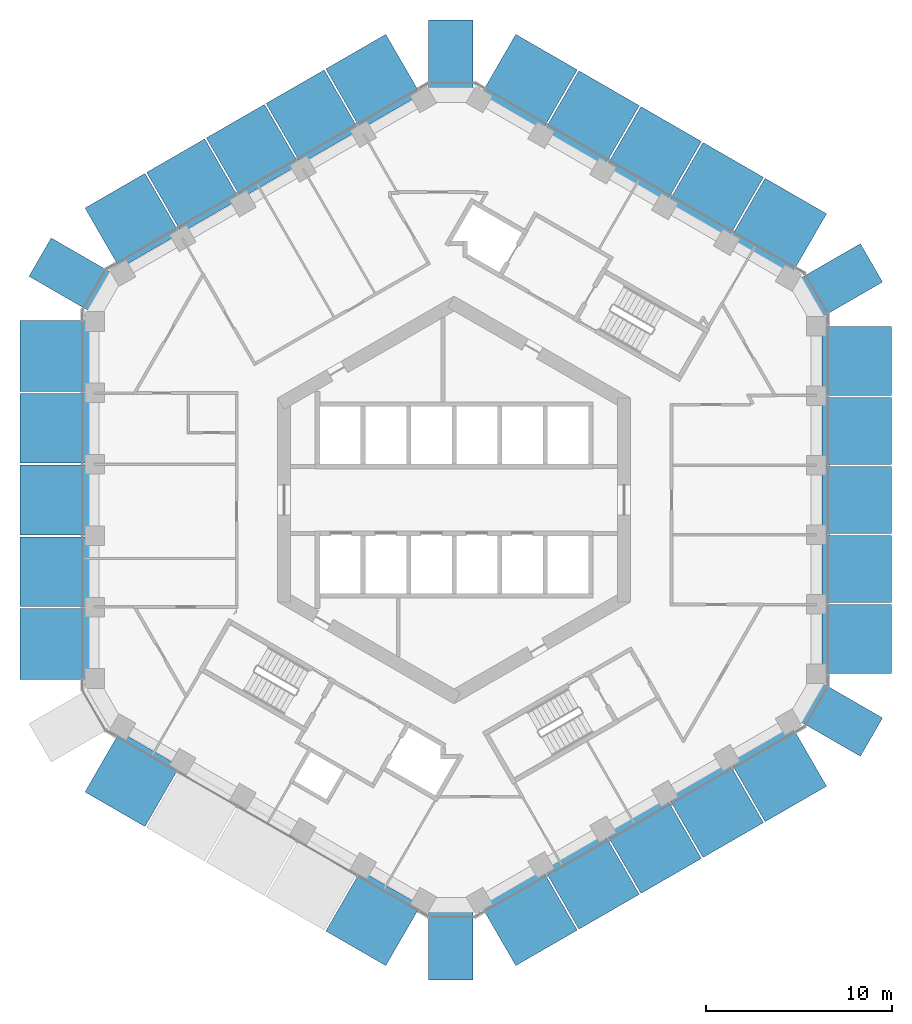
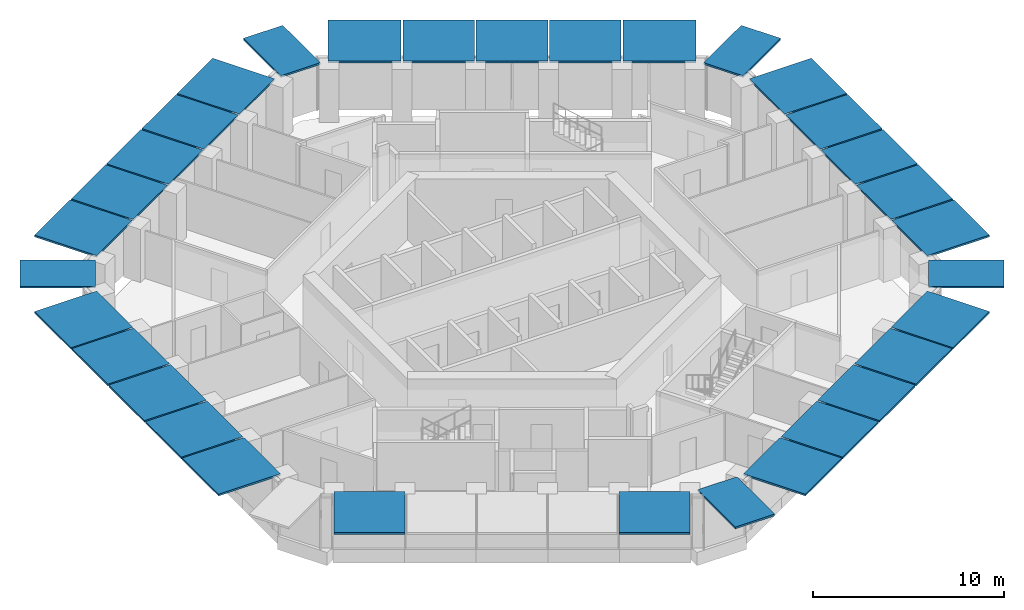
# One storey, part 15 of 18: 32 discrete accessories.
"""IFC4 building model written with IfcOpenShell, lengths in metres."""

from ifc_helpers import new_model, si_unit, direction, frame, origin, origin_2d, place, context, subcontext, project, spatial, rectangle, extrude, material, layer, layer_set, type_object, element, save


model = new_model("IFC4")

# Units and contexts
model_context = context("Model", 3, precision=1e-05, world=origin(), true_north=direction((0.0, 1.0)))
body_context = subcontext(model_context, "Body", "Model", "MODEL_VIEW")
ifc_project = project(units=[si_unit("LENGTHUNIT", "METRE"), si_unit("AREAUNIT", "SQUARE_METRE"), si_unit("VOLUMEUNIT", "CUBIC_METRE"), si_unit("PLANEANGLEUNIT", "RADIAN"), si_unit("MASSUNIT", "GRAM", prefix="KILO")], contexts=[model_context])

# Site, building, storey
site_placement = place(None, origin())
site = spatial("IfcSite", under=ifc_project, at=site_placement, CompositionType="ELEMENT")
building_placement = place(site_placement, origin())
building = spatial("IfcBuilding", under=site, at=building_placement, Name="Ayvan Gate Tower", CompositionType="ELEMENT")
storey_placement = place(building_placement, frame((0.0, 0.0, 89.89990234375)))
storey = spatial("IfcBuildingStorey", under=building, at=storey_placement, Name="L23", CompositionType="ELEMENT", Elevation=89.89990234375)

# Discrete accessories
ifc_material = material(Name="Stainless steel 316", Category="steel")
ifc_layer = layer(ifc_material, 0.1201171875)
ifc_layer_set = layer_set([ifc_layer], Name="Stainless steel 316")
discrete_accessory_type = type_object("IfcDiscreteAccessoryType", Name="Fin carrier bracket", PredefinedType="BRACKET", material=ifc_layer_set)
discrete_accessory_1_placement = place(storey_placement, frame((-21.481689453125, -7.742919921875, 3.280029296875), z_axis=(0.0, 0.0, 1.0), x_axis=(0.0, -1.0, 0.0)))
element("IfcDiscreteAccessory", 1, at=discrete_accessory_1_placement, inside=storey, type_object=discrete_accessory_type, Name="Fin carrier 43", PredefinedType="BRACKET", context=body_context, shape_type="SweptSolid", body=[
    extrude(rectangle(XDim=3.820068359375, YDim=3.74853515625, at=origin_2d()), origin(), (0.0, 0.0, 1.0), 0.1201171875),
])
discrete_accessory_2_placement = place(storey_placement, frame((-21.481689453125, -3.85546875, 3.280029296875), z_axis=(0.0, 0.0, 1.0), x_axis=(0.0, -1.0, 0.0)))
element("IfcDiscreteAccessory", 2, at=discrete_accessory_2_placement, inside=storey, type_object=discrete_accessory_type, Name="Fin carrier 45", PredefinedType="BRACKET", context=body_context, shape_type="SweptSolid", body=[
    extrude(rectangle(XDim=3.7548828125, YDim=3.74853515625, at=origin_2d()), origin(), (0.0, 0.0, 1.0), 0.1201171875),
])
discrete_accessory_3_placement = place(storey_placement, frame((-21.481689453125, 0.0, 3.280029296875), z_axis=(0.0, 0.0, 1.0), x_axis=(0.0, -1.0, 0.0)))
element("IfcDiscreteAccessory", 3, at=discrete_accessory_3_placement, inside=storey, type_object=discrete_accessory_type, Name="Fin carrier 48", PredefinedType="BRACKET", context=body_context, shape_type="SweptSolid", body=[
    extrude(rectangle(XDim=3.756103515625, YDim=3.74853515625, at=origin_2d()), origin(), (0.0, 0.0, 1.0), 0.1201171875),
])
discrete_accessory_4_placement = place(storey_placement, frame((-21.481689453125, 3.85546875, 3.280029296875), z_axis=(0.0, 0.0, 1.0), x_axis=(0.0, -1.0, 0.0)))
element("IfcDiscreteAccessory", 4, at=discrete_accessory_4_placement, inside=storey, type_object=discrete_accessory_type, Name="Fin carrier 51", PredefinedType="BRACKET", context=body_context, shape_type="SweptSolid", body=[
    extrude(rectangle(XDim=3.7548828125, YDim=3.74853515625, at=origin_2d()), origin(), (0.0, 0.0, 1.0), 0.1201171875),
])
discrete_accessory_5_placement = place(storey_placement, frame((-21.481689453125, 7.742919921875, 3.280029296875), z_axis=(0.0, 0.0, 1.0), x_axis=(0.0, -1.0, 0.0)))
element("IfcDiscreteAccessory", 5, at=discrete_accessory_5_placement, inside=storey, type_object=discrete_accessory_type, Name="Fin carrier 54", PredefinedType="BRACKET", context=body_context, shape_type="SweptSolid", body=[
    extrude(rectangle(XDim=3.820068359375, YDim=3.74853515625, at=origin_2d()), origin(), (0.0, 0.0, 1.0), 0.1201171875),
])
discrete_accessory_6_placement = place(storey_placement, frame((-20.564208984375, 12.078369140625, 3.280029296875), z_axis=(0.0, 0.0, 1.0), x_axis=(-0.5, -0.866025403784, 0.0)))
element("IfcDiscreteAccessory", 6, at=discrete_accessory_6_placement, inside=storey, type_object=discrete_accessory_type, Name="Fin carrier 86", PredefinedType="BRACKET", context=body_context, shape_type="SweptSolid", body=[
    extrude(rectangle(XDim=2.386474609375, YDim=3.9521484375, at=origin_2d()), origin(), (0.0, 0.0, 1.0), 0.1201171875),
])
discrete_accessory_7_placement = place(storey_placement, frame((-17.308349609375, -15.017578125, 3.280029296875), z_axis=(0.0, 0.0, 1.0), x_axis=(0.866025403784, -0.5, 0.0)))
element("IfcDiscreteAccessory", 7, at=discrete_accessory_7_placement, inside=storey, type_object=discrete_accessory_type, Name="Fin carrier 193", PredefinedType="BRACKET", context=body_context, shape_type="SweptSolid", body=[
    extrude(rectangle(XDim=3.72802734375, YDim=3.74853515625, at=origin_2d()), origin(), (0.0, 0.0, 1.0), 0.1201171875),
])
discrete_accessory_8_placement = place(storey_placement, frame((-17.30859375, 15.017333984375, 3.280029296875), z_axis=(0.0, 0.0, 1.0), x_axis=(-0.866025403784, -0.5, 0.0)))
element("IfcDiscreteAccessory", 8, at=discrete_accessory_8_placement, inside=storey, type_object=discrete_accessory_type, Name="Fin carrier 207", PredefinedType="BRACKET", context=body_context, shape_type="SweptSolid", body=[
    extrude(rectangle(XDim=3.727294921875, YDim=3.74853515625, at=origin_2d()), origin(), (0.0, 0.0, 1.0), 0.1201171875),
])
discrete_accessory_9_placement = place(storey_placement, frame((-14.0439453125, 16.90234375, 3.280029296875), z_axis=(0.0, 0.0, 1.0), x_axis=(-0.866025403784, -0.5, 0.0)))
element("IfcDiscreteAccessory", 9, at=discrete_accessory_9_placement, inside=storey, type_object=discrete_accessory_type, Name="Fin carrier 268", PredefinedType="BRACKET", context=body_context, shape_type="SweptSolid", body=[
    extrude(rectangle(XDim=3.612060546875, YDim=3.74853515625, at=origin_2d()), origin(), (0.0, 0.0, 1.0), 0.1201171875),
])
for number, where, z_axis, x_axis, name in (
    (10, (-10.829833984375, 18.758056640625, 3.280029296875), (0.0, 0.0, 1.0), (-0.866025403784, -0.5, 0.0), "Fin carrier 336"),
    (11, (-7.615966796875, 20.613525390625, 3.280029296875), (0.0, 0.0, 1.0), (-0.866025403784, -0.5, 0.0), "Fin carrier 407"),
):
    element("IfcDiscreteAccessory", number, at=place(storey_placement, frame(where, z_axis=z_axis, x_axis=x_axis)), inside=storey, type_object=discrete_accessory_type, Name=name, PredefinedType="BRACKET", context=body_context, shape_type="SweptSolid", body=[
        extrude(rectangle(XDim=3.611083984375, YDim=3.74853515625, at=origin_2d()), origin(), (0.0, 0.0, 1.0), 0.1201171875),
    ])
discrete_accessory_10_placement = place(storey_placement, frame((-4.35107421875, -22.49853515625, 3.280029296875), z_axis=(0.0, 0.0, 1.0), x_axis=(0.866025403784, -0.5, 0.0)))
element("IfcDiscreteAccessory", 12, at=discrete_accessory_10_placement, inside=storey, type_object=discrete_accessory_type, Name="Fin carrier 466", PredefinedType="BRACKET", context=body_context, shape_type="SweptSolid", body=[
    extrude(rectangle(XDim=3.727294921875, YDim=3.74853515625, at=origin_2d()), origin(), (0.0, 0.0, 1.0), 0.1201171875),
])
discrete_accessory_11_placement = place(storey_placement, frame((-4.3515625, 22.498291015625, 3.280029296875), z_axis=(0.0, 0.0, 1.0), x_axis=(-0.866025403784, -0.5, 0.0)))
element("IfcDiscreteAccessory", 13, at=discrete_accessory_11_placement, inside=storey, type_object=discrete_accessory_type, Name="Fin carrier 477", PredefinedType="BRACKET", context=body_context, shape_type="SweptSolid", body=[
    extrude(rectangle(XDim=3.72802734375, YDim=3.74853515625, at=origin_2d()), origin(), (0.0, 0.0, 1.0), 0.1201171875),
])
for number, where, z_axis, x_axis, name in (
    (14, (-0.177978515625, -23.848388671875, 3.280029296875), (0.0, 0.0, 1.0), (1.0, 0.0, 0.0), "Fin carrier 528"),
    (15, (-0.177978515625, 23.848388671875, 3.280029296875), (0.0, 0.0, 1.0), (-1.0, 0.0, 0.0), "Fin carrier 538"),
):
    element("IfcDiscreteAccessory", number, at=place(storey_placement, frame(where, z_axis=z_axis, x_axis=x_axis)), inside=storey, type_object=discrete_accessory_type, Name=name, PredefinedType="BRACKET", context=body_context, shape_type="SweptSolid", body=[
        extrude(rectangle(XDim=2.386474609375, YDim=3.9521484375, at=origin_2d()), origin(), (0.0, 0.0, 1.0), 0.1201171875),
    ])
for number, where, z_axis, x_axis, name in (
    (16, (4.03515625, -22.475341796875, 3.280029296875), (0.0, 0.0, 1.0), (0.866025403784, 0.5, 0.0), "Fin carrier 593"),
    (17, (4.03515625, 22.475341796875, 3.280029296875), (0.0, 0.0, 1.0), (-0.866025403784, 0.5, 0.0), "Fin carrier 597"),
):
    element("IfcDiscreteAccessory", number, at=place(storey_placement, frame(where, z_axis=z_axis, x_axis=x_axis)), inside=storey, type_object=discrete_accessory_type, Name=name, PredefinedType="BRACKET", context=body_context, shape_type="SweptSolid", body=[
        extrude(rectangle(XDim=3.820068359375, YDim=3.74853515625, at=origin_2d()), origin(), (0.0, 0.0, 1.0), 0.1201171875),
    ])
for number, where, z_axis, x_axis, name in (
    (18, (7.40185546875, -20.531494140625, 3.280029296875), (0.0, 0.0, 1.0), (0.866025403784, 0.5, 0.0), "Fin carrier 639"),
    (19, (7.40185546875, 20.531494140625, 3.280029296875), (0.0, 0.0, 1.0), (-0.866025403784, 0.5, 0.0), "Fin carrier 645"),
):
    element("IfcDiscreteAccessory", number, at=place(storey_placement, frame(where, z_axis=z_axis, x_axis=x_axis)), inside=storey, type_object=discrete_accessory_type, Name=name, PredefinedType="BRACKET", context=body_context, shape_type="SweptSolid", body=[
        extrude(rectangle(XDim=3.7548828125, YDim=3.74853515625, at=origin_2d()), origin(), (0.0, 0.0, 1.0), 0.1201171875),
    ])
for number, where, z_axis, x_axis, name in (
    (20, (10.740966796875, -18.603759765625, 3.280029296875), (0.0, 0.0, 1.0), (0.866025403784, 0.5, 0.0), "Fin carrier 702"),
    (21, (10.740966796875, 18.603759765625, 3.280029296875), (0.0, 0.0, 1.0), (-0.866025403784, 0.5, 0.0), "Fin carrier 710"),
):
    element("IfcDiscreteAccessory", number, at=place(storey_placement, frame(where, z_axis=z_axis, x_axis=x_axis)), inside=storey, type_object=discrete_accessory_type, Name=name, PredefinedType="BRACKET", context=body_context, shape_type="SweptSolid", body=[
        extrude(rectangle(XDim=3.756103515625, YDim=3.74853515625, at=origin_2d()), origin(), (0.0, 0.0, 1.0), 0.1201171875),
    ])
for number, where, z_axis, x_axis, name in (
    (22, (14.079833984375, -16.676025390625, 3.280029296875), (0.0, 0.0, 1.0), (0.866025403784, 0.5, 0.0), "Fin carrier 766"),
    (23, (14.079833984375, 16.676025390625, 3.280029296875), (0.0, 0.0, 1.0), (-0.866025403784, 0.5, 0.0), "Fin carrier 770"),
):
    element("IfcDiscreteAccessory", number, at=place(storey_placement, frame(where, z_axis=z_axis, x_axis=x_axis)), inside=storey, type_object=discrete_accessory_type, Name=name, PredefinedType="BRACKET", context=body_context, shape_type="SweptSolid", body=[
        extrude(rectangle(XDim=3.7548828125, YDim=3.74853515625, at=origin_2d()), origin(), (0.0, 0.0, 1.0), 0.1201171875),
    ])
for number, where, z_axis, x_axis, name in (
    (24, (17.446533203125, -14.732177734375, 3.280029296875), (0.0, 0.0, 1.0), (0.866025403784, 0.5, 0.0), "Fin carrier 818"),
    (25, (17.446533203125, 14.732177734375, 3.280029296875), (0.0, 0.0, 1.0), (-0.866025403784, 0.5, 0.0), "Fin carrier 830"),
):
    element("IfcDiscreteAccessory", number, at=place(storey_placement, frame(where, z_axis=z_axis, x_axis=x_axis)), inside=storey, type_object=discrete_accessory_type, Name=name, PredefinedType="BRACKET", context=body_context, shape_type="SweptSolid", body=[
        extrude(rectangle(XDim=3.820068359375, YDim=3.74853515625, at=origin_2d()), origin(), (0.0, 0.0, 1.0), 0.1201171875),
    ])
for number, where, z_axis, x_axis, name in (
    (26, (20.742431640625, -11.77001953125, 3.280029296875), (0.0, 0.0, 1.0), (0.5, 0.866025403784, 0.0), "Fin carrier 950"),
    (27, (20.742431640625, 11.77001953125, 3.280029296875), (0.0, 0.0, 1.0), (-0.5, 0.866025403784, 0.0), "Fin carrier 956"),
):
    element("IfcDiscreteAccessory", number, at=place(storey_placement, frame(where, z_axis=z_axis, x_axis=x_axis)), inside=storey, type_object=discrete_accessory_type, Name=name, PredefinedType="BRACKET", context=body_context, shape_type="SweptSolid", body=[
        extrude(rectangle(XDim=2.386474609375, YDim=3.9521484375, at=origin_2d()), origin(), (0.0, 0.0, 1.0), 0.1201171875),
    ])
discrete_accessory_12_placement = place(storey_placement, frame((21.659912109375, -7.480712890625, 3.280029296875), z_axis=(0.0, 0.0, 1.0), x_axis=(0.0, 1.0, 0.0)))
element("IfcDiscreteAccessory", 28, at=discrete_accessory_12_placement, inside=storey, type_object=discrete_accessory_type, Name="Fin carrier 960", PredefinedType="BRACKET", context=body_context, shape_type="SweptSolid", body=[
    extrude(rectangle(XDim=3.72802734375, YDim=3.74853515625, at=origin_2d()), origin(), (0.0, 0.0, 1.0), 0.1201171875),
])
for number, where, z_axis, x_axis, name in (
    (29, (21.659912109375, -3.711181640625, 3.280029296875), (0.0, 0.0, 1.0), (0.0, 1.0, 0.0), "Fin carrier 966"),
    (30, (21.659912109375, -0.000244140625, 3.280029296875), (0.0, 0.0, 1.0), (0.0, 1.0, 0.0), "Fin carrier 972"),
):
    element("IfcDiscreteAccessory", number, at=place(storey_placement, frame(where, z_axis=z_axis, x_axis=x_axis)), inside=storey, type_object=discrete_accessory_type, Name=name, PredefinedType="BRACKET", context=body_context, shape_type="SweptSolid", body=[
        extrude(rectangle(XDim=3.611083984375, YDim=3.74853515625, at=origin_2d()), origin(), (0.0, 0.0, 1.0), 0.1201171875),
    ])
discrete_accessory_13_placement = place(storey_placement, frame((21.659912109375, 3.71142578125, 3.280029296875), z_axis=(0.0, 0.0, 1.0), x_axis=(0.0, 1.0, 0.0)))
element("IfcDiscreteAccessory", 31, at=discrete_accessory_13_placement, inside=storey, type_object=discrete_accessory_type, Name="Fin carrier 977", PredefinedType="BRACKET", context=body_context, shape_type="SweptSolid", body=[
    extrude(rectangle(XDim=3.612060546875, YDim=3.74853515625, at=origin_2d()), origin(), (0.0, 0.0, 1.0), 0.1201171875),
])
discrete_accessory_14_placement = place(storey_placement, frame((21.659912109375, 7.48095703125, 3.280029296875), z_axis=(0.0, 0.0, 1.0), x_axis=(0.0, 1.0, 0.0)))
element("IfcDiscreteAccessory", 32, at=discrete_accessory_14_placement, inside=storey, type_object=discrete_accessory_type, Name="Fin carrier 987", PredefinedType="BRACKET", context=body_context, shape_type="SweptSolid", body=[
    extrude(rectangle(XDim=3.727294921875, YDim=3.74853515625, at=origin_2d()), origin(), (0.0, 0.0, 1.0), 0.1201171875),
])

save(model, "model.ifc")
